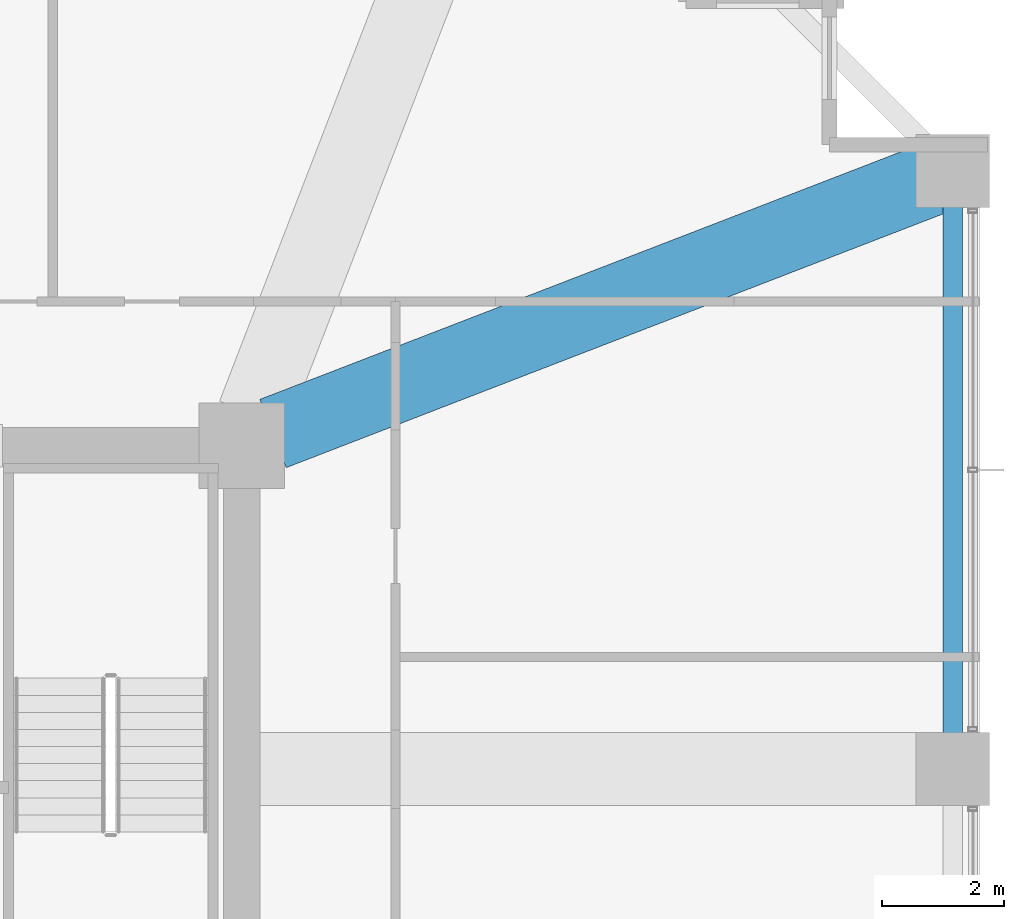
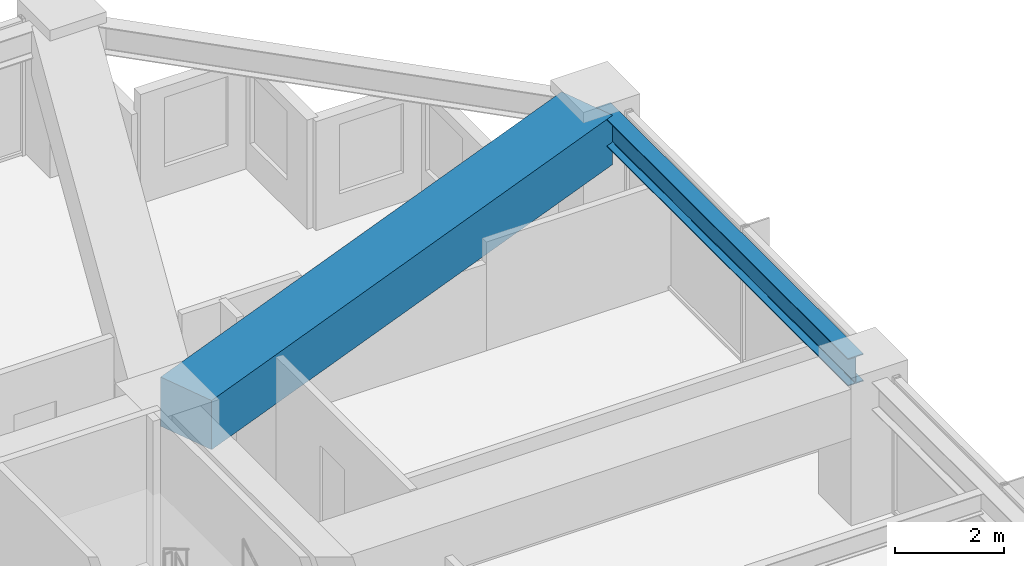
# One storey, part 23 of 37: 2 beams.
"""IFC4 building model written with IfcOpenShell, lengths in metres."""

from ifc_helpers import new_model, si_unit, direction, frame, origin, origin_2d, place, context, subcontext, project, spatial, rectangle, i_section, extrude, material, material_profile, profile_set, type_object, element, save


model = new_model("IFC4")

# Units and contexts
model_context = context("Model", 3, precision=1e-05, world=origin(), true_north=direction((0.0, 1.0)))
body_context = subcontext(model_context, "Body", "Model", "MODEL_VIEW")
ifc_project = project(units=[si_unit("LENGTHUNIT", "METRE"), si_unit("AREAUNIT", "SQUARE_METRE"), si_unit("VOLUMEUNIT", "CUBIC_METRE"), si_unit("PLANEANGLEUNIT", "RADIAN"), si_unit("MASSUNIT", "GRAM", prefix="KILO")], contexts=[model_context])

# Site, building, storey
site_placement = place(None, origin())
site = spatial("IfcSite", under=ifc_project, at=site_placement, CompositionType="ELEMENT")
building_placement = place(site_placement, origin())
building = spatial("IfcBuilding", under=site, at=building_placement, Name="Kolvaren Belvedere", CompositionType="ELEMENT")
storey_placement = place(building_placement, frame((0.0, 0.0, 37.0)))
storey = spatial("IfcBuildingStorey", under=building, at=storey_placement, Name="L10", CompositionType="ELEMENT", Elevation=37.0)

# Beams
ifc_material_1 = material(Name="Structural steel ASTM A992 Grade 50", Category="steel")
ifc_material_profile_1 = material_profile(ifc_material_1, i_section(OverallWidth=0.324951171875, OverallDepth=0.615966796875, WebThickness=0.013916015625, FlangeThickness=0.021484375, FilletRadius=0.02001953125, at=origin_2d()), Name="W24X117")
ifc_profile_set_1 = profile_set([ifc_material_profile_1], Name="Structural steel ASTM A992 Grade 50")
beam_type_1 = type_object("IfcBeamType", Name="BM-SPAN-W24X117", PredefinedType="SPANDREL", material=ifc_profile_set_1)
beam_1_placement = place(storey_placement, frame((21.550048828125, 4.8701171875, 2.751953125), z_axis=(0.0, 1.0, 0.0), x_axis=(-1.0, 0.0, 0.0)))
element("IfcBeam", 1, at=beam_1_placement, inside=storey, type_object=beam_type_1, Name="L10 Perimeter Spandrel E3-E4", PredefinedType="SPANDREL", context=body_context, shape_type="SweptSolid", body=[
    extrude(i_section(OverallWidth=0.324951171875, OverallDepth=0.615966796875, WebThickness=0.013916015625, FlangeThickness=0.021484375, FilletRadius=0.02001953125, at=origin_2d()), origin(), (0.0, 0.0, 1.0), 9.259765625),
])
ifc_material_2 = material(Name="Concrete C50/60", Category="concrete")
ifc_material_profile_2 = material_profile(ifc_material_2, rectangle(XDim=1.199951171875, YDim=1.10009765625, at=origin_2d()), Name="RC 1200X1100")
ifc_profile_set_2 = profile_set([ifc_material_profile_2], Name="Concrete C50/60")
beam_type_2 = type_object("IfcBeamType", Name="BM-TG-1100", PredefinedType="BEAM", material=ifc_profile_set_2)
beam_2_placement = place(storey_placement, frame((10.4130859375, 10.09814453125, 2.510009765625), z_axis=(0.932829382313, 0.360318391835, 0.0), x_axis=(-0.360318391835, 0.932829382313, 0.0)))
element("IfcBeam", 2, at=beam_2_placement, inside=storey, type_object=beam_type_2, Name="L10 Corner Core-to-Perimeter Girder CC3-E4", PredefinedType="BEAM", context=body_context, shape_type="SweptSolid", body=[
    extrude(rectangle(XDim=1.199951171875, YDim=1.10009765625, at=origin_2d()), origin(), (0.0, 0.0, 1.0), 11.698974609375),
])

save(model, "model.ifc")
